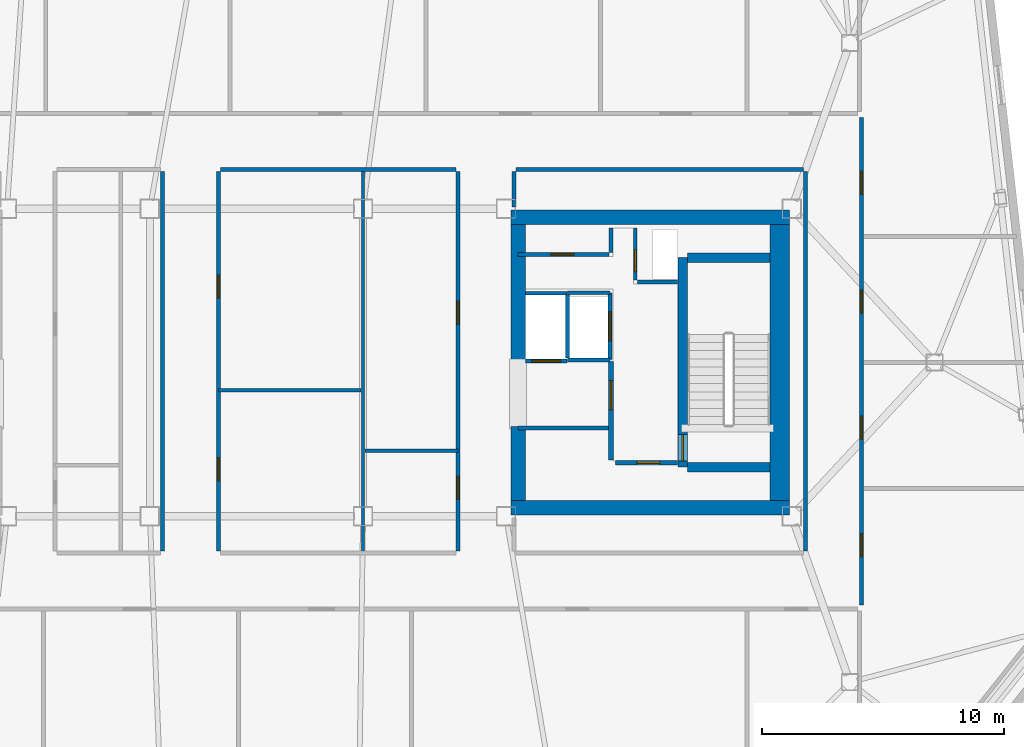
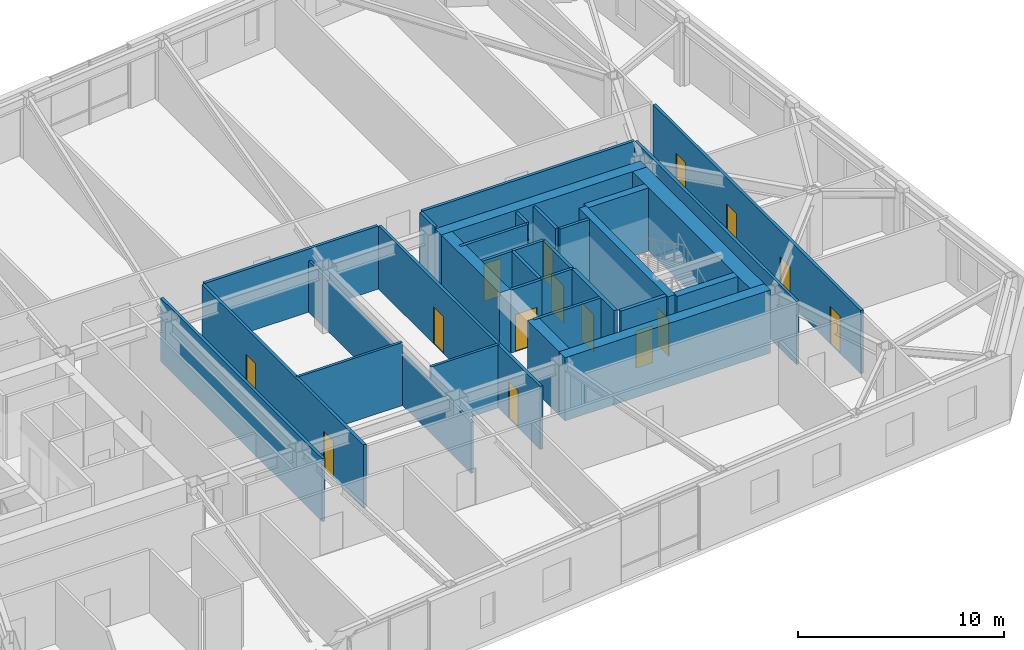
# One storey, part 14 of 20: 32 walls, 15 doors, 15 openings.
"""IFC4 building model written with IfcOpenShell, lengths in metres."""

from ifc_helpers import new_model, si_unit, direction, frame, frame_2d, origin, place, context, subcontext, project, spatial, rectangle, extrude, material, layer, layer_set, type_object, element, fill, save


model = new_model("IFC4")

# Units and contexts
model_context = context("Model", 3, precision=1e-05, world=origin(), true_north=direction((0.0, 1.0)))
body_context = subcontext(model_context, "Body", "Model", "MODEL_VIEW")
ifc_project = project(units=[si_unit("LENGTHUNIT", "METRE"), si_unit("AREAUNIT", "SQUARE_METRE"), si_unit("VOLUMEUNIT", "CUBIC_METRE"), si_unit("PLANEANGLEUNIT", "RADIAN"), si_unit("MASSUNIT", "GRAM", prefix="KILO")], contexts=[model_context])

# Site, building, storey
site_placement = place(None, origin())
site = spatial("IfcSite", under=ifc_project, at=site_placement, CompositionType="ELEMENT")
building_placement = place(site_placement, origin())
building = spatial("IfcBuilding", under=site, at=building_placement, Name="Tavrogorsk Clinical Tower", CompositionType="ELEMENT")
storey_placement = place(building_placement, frame((0.0, 0.0, 251.0)))
storey = spatial("IfcBuildingStorey", under=building, at=storey_placement, Name="L58", CompositionType="ELEMENT", Elevation=251.0)

# Wall, opening, door
ifc_material_1 = material(Name="Concrete B60", Category="concrete")
ifc_layer_1 = layer(ifc_material_1, 0.199951171875)
ifc_layer_set_1 = layer_set([ifc_layer_1], Name="Concrete B60")
wall_type_1 = type_object("IfcWallType", Name="CoreFireWall_200", PredefinedType="SOLIDWALL", material=ifc_layer_set_1)
wall_1_placement = place(storey_placement, frame((14.824951171875, -4.139892578125, 0.0), z_axis=(0.0, 0.0, 1.0), x_axis=(1.0, 0.0, 0.0)))
wall_1 = element("IfcWall", 1, at=wall_1_placement, inside=storey, type_object=wall_type_1, Name="L58 Core East South Core Room Fire Wall", PredefinedType="SOLIDWALL", context=body_context, shape_type="SweptSolid", body=[
    extrude(rectangle(XDim=2.554931640625, YDim=0.199951171875, at=frame_2d((1.27734375, 0.0))), origin(), (0.0, 0.0, 1.0), 3.739990234375),
])
opening_1_placement = place(wall_1_placement, frame((0.8798828125, 0.0, 0.0)))
opening_1 = element("IfcOpeningElement", 2, at=opening_1_placement, cuts=wall_1, Name="Opening ID-02", PredefinedType="OPENING", context=body_context, shape_type="SweptSolid", body=[
    extrude(rectangle(XDim=0.949951171875, YDim=2.199951171875, at=frame_2d((0.47509765625, 1.10009765625))), frame((0.0, 0.10986328125, 0.0), z_axis=(0.0, -1.0, 0.0), x_axis=(1.0, 0.0, 0.0)), (0.0, 0.0, 1.0), 0.219970703125),
])
ifc_material_2 = material(Name="Laminated timber leaf on aluminium frame", Category="wood")
door_type_1 = type_object("IfcDoorType", Name="InteriorDoor_ID02_950", OperationType="NOTDEFINED", PredefinedType="DOOR", material=ifc_material_2)
door_1_placement = place(opening_1_placement, origin())
door_1 = element("IfcDoor", 3, at=door_1_placement, inside=storey, type_object=door_type_1, Name="L58 Core East South Core Room Door", OperationType="SINGLE_SWING_RIGHT", OverallHeight=2.199951171875, OverallWidth=0.949951171875, PredefinedType="DOOR", context=body_context, shape_type="SweptSolid", body=[
    extrude(rectangle(XDim=0.949951171875, YDim=2.199951171875, at=frame_2d((0.47509765625, 1.10009765625))), frame((0.0, 0.02490234375, 0.0), z_axis=(0.0, -1.0, 0.0), x_axis=(1.0, 0.0, 0.0)), (0.0, 0.0, 1.0), 0.050048828125),
])
fill(opening_1, door_1)

wall_2_placement = place(storey_placement, frame((14.639892578125, -4.034912109375, 0.0), z_axis=(0.0, 0.0, 1.0), x_axis=(0.0, 1.0, 0.0)))
wall_2 = element("IfcWall", 4, at=wall_2_placement, inside=storey, type_object=wall_type_1, Name="L58 Core East Firefighting Lobby Fire Wall", PredefinedType="SOLIDWALL", context=body_context, shape_type="SweptSolid", body=[
    extrude(rectangle(XDim=4.074951171875, YDim=0.199951171875, at=frame_2d((2.03759765625, 0.0))), origin(), (0.0, 0.0, 1.0), 3.739990234375),
])
opening_2_placement = place(wall_2_placement, frame((2.090087890625, 0.0, 0.0)))
opening_2 = element("IfcOpeningElement", 5, at=opening_2_placement, cuts=wall_2, Name="Opening FD-01", PredefinedType="OPENING", context=body_context, shape_type="SweptSolid", body=[
    extrude(rectangle(XDim=1.199951171875, YDim=2.199951171875, at=frame_2d((0.60009765625, 1.10009765625))), frame((0.0, 0.10986328125, 0.0), z_axis=(0.0, -1.0, 0.0), x_axis=(1.0, 0.0, 0.0)), (0.0, 0.0, 1.0), 0.219970703125),
])
ifc_material_3 = material(Name="Galvanised steel fire-rated door assembly", Category="steel")
door_type_2 = type_object("IfcDoorType", Name="FireDoor_FD01_1200", OperationType="NOTDEFINED", PredefinedType="DOOR", material=ifc_material_3)
door_2_placement = place(opening_2_placement, origin())
door_2 = element("IfcDoor", 6, at=door_2_placement, inside=storey, type_object=door_type_2, Name="L58 Core East Firefighting Lobby Entry Door", OperationType="SINGLE_SWING_RIGHT", OverallHeight=2.199951171875, OverallWidth=1.199951171875, PredefinedType="DOOR", context=body_context, shape_type="SweptSolid", body=[
    extrude(rectangle(XDim=1.199951171875, YDim=2.199951171875, at=frame_2d((0.60009765625, 1.10009765625))), frame((0.0, 0.02490234375, 0.0), z_axis=(0.0, -1.0, 0.0), x_axis=(1.0, 0.0, 0.0)), (0.0, 0.0, 1.0), 0.050048828125),
])
fill(opening_2, door_2)

# Walls
ifc_material_4 = material(Name="Lightweight concrete blockwork B15", Category="masonry")
ifc_layer_2 = layer(ifc_material_4, 0.139892578125)
ifc_layer_set_2 = layer_set([ifc_layer_2], Name="Lightweight concrete blockwork B15")
wall_type_2 = type_object("IfcWallType", Name="PartitionWall_140", PredefinedType="PARTITIONING", material=ifc_layer_set_2)
wall_3_placement = place(storey_placement, frame((4.39990234375, -7.864990234375, 0.0), z_axis=(0.0, 0.0, 1.0), x_axis=(0.0, 1.0, 0.0)))
element("IfcWall", 7, at=wall_3_placement, inside=storey, type_object=wall_type_2, Name="L58 Central Spine Partition 2", PredefinedType="PARTITIONING", context=body_context, shape_type="SweptSolid", body=[
    extrude(rectangle(XDim=15.830078125, YDim=0.139892578125, at=frame_2d((7.9150390625, 0.0))), origin(), (0.0, 0.0, 1.0), 3.034912109375),
])
wall_4_placement = place(storey_placement, frame((-1.56494140625, -1.14990234375, 0.0), z_axis=(0.0, 0.0, 1.0), x_axis=(1.0, 0.0, 0.0)))
element("IfcWall", 8, at=wall_4_placement, inside=storey, type_object=wall_type_2, Name="L58 Central Spine Partition 3", PredefinedType="PARTITIONING", context=body_context, shape_type="SweptSolid", body=[
    extrude(rectangle(XDim=5.889892578125, YDim=0.139892578125, at=frame_2d((2.94482421875, 0.0))), origin(), (0.0, 0.0, 1.0), 3.739990234375),
])
wall_5_placement = place(storey_placement, frame((4.47509765625, -3.64990234375, 0.0), z_axis=(0.0, 0.0, 1.0), x_axis=(1.0, 0.0, 0.0)))
element("IfcWall", 9, at=wall_5_placement, inside=storey, type_object=wall_type_2, Name="L58 Central Spine Partition 5", PredefinedType="PARTITIONING", context=body_context, shape_type="SweptSolid", body=[
    extrude(rectangle(XDim=3.83984375, YDim=0.139892578125, at=frame_2d((1.919921875, 0.0))), origin(), (0.0, 0.0, 1.0), 3.739990234375),
])
ifc_material_5 = material(Name="Lightweight concrete blockwork B15", Category="masonry")
ifc_layer_3 = layer(ifc_material_5, 0.159912109375)
ifc_layer_set_3 = layer_set([ifc_layer_3], Name="Lightweight concrete blockwork B15")
wall_type_3 = type_object("IfcWallType", Name="PartitionWall_160", PredefinedType="PARTITIONING", material=ifc_layer_set_3)
wall_6_placement = place(storey_placement, frame((10.800048828125, -2.699951171875, 0.0), z_axis=(0.0, 0.0, 1.0), x_axis=(1.0, 0.0, 0.0)))
element("IfcWall", 10, at=wall_6_placement, inside=storey, type_object=wall_type_3, Name="L58 Core East Freed Mid-Bank North Partition", PredefinedType="PARTITIONING", context=body_context, shape_type="SweptSolid", body=[
    extrude(rectangle(XDim=3.73486328125, YDim=0.159912109375, at=frame_2d((1.867431640625, 0.0))), origin(), (0.0, 0.0, 1.0), 3.739990234375),
])

# Wall, opening, door
wall_7_placement = place(storey_placement, frame((10.800048828125, 4.4599609375, 0.0), z_axis=(0.0, 0.0, 1.0), x_axis=(1.0, 0.0, 0.0)))
wall_7 = element("IfcWall", 11, at=wall_7_placement, inside=storey, type_object=wall_type_3, Name="L58 Core East Pneumatic Dispatch South Wall", PredefinedType="PARTITIONING", context=body_context, shape_type="SweptSolid", body=[
    extrude(rectangle(XDim=3.7548828125, YDim=0.159912109375, at=frame_2d((1.87744140625, 0.0))), origin(), (0.0, 0.0, 1.0), 3.739990234375),
])
opening_3_placement = place(wall_7_placement, frame((1.35009765625, 0.0, 0.0)))
opening_3 = element("IfcOpeningElement", 12, at=opening_3_placement, cuts=wall_7, Name="Opening ID-02", PredefinedType="OPENING", context=body_context, shape_type="SweptSolid", body=[
    extrude(rectangle(XDim=0.949951171875, YDim=2.199951171875, at=frame_2d((0.47509765625, 1.10009765625))), frame((0.0, 0.08984375, 0.0), z_axis=(0.0, -1.0, 0.0), x_axis=(1.0, 0.0, 0.0)), (0.0, 0.0, 1.0), 0.179931640625),
])
door_3_placement = place(opening_3_placement, origin())
door_3 = element("IfcDoor", 13, at=door_3_placement, inside=storey, type_object=door_type_1, Name="L58 Core East Pneumatic Dispatch Door", OperationType="SINGLE_SWING_LEFT", OverallHeight=2.199951171875, OverallWidth=0.949951171875, PredefinedType="DOOR", context=body_context, shape_type="SweptSolid", body=[
    extrude(rectangle(XDim=0.949951171875, YDim=2.199951171875, at=frame_2d((0.47509765625, 1.10009765625))), frame((0.0, 0.02490234375, 0.0), z_axis=(0.0, -1.0, 0.0), x_axis=(1.0, 0.0, 0.0)), (0.0, 0.0, 1.0), 0.050048828125),
])
fill(opening_3, door_3)

# Wall
wall_8_placement = place(storey_placement, frame((14.639892578125, 4.544921875, 0.0), z_axis=(0.0, 0.0, 1.0), x_axis=(0.0, 1.0, 0.0)))
element("IfcWall", 14, at=wall_8_placement, inside=storey, type_object=wall_type_3, Name="L58 Core East Pneumatic Dispatch East Wall", PredefinedType="PARTITIONING", context=body_context, shape_type="SweptSolid", body=[
    extrude(rectangle(XDim=1.01513671875, YDim=0.159912109375, at=frame_2d((0.507568359375, 0.0))), origin(), (0.0, 0.0, 1.0), 3.739990234375),
])

# Wall, openings, doors
wall_9_placement = place(storey_placement, frame((24.97998046875, 10.114990234375, 0.0), z_axis=(0.0, 0.0, 1.0), x_axis=(0.0, -1.0, 0.0)))
wall_9 = element("IfcWall", 15, at=wall_9_placement, inside=storey, type_object=wall_type_3, Name="L58 Corridor Partition 03", PredefinedType="PARTITIONING", context=body_context, shape_type="SweptSolid", body=[
    extrude(rectangle(XDim=20.1298828125, YDim=0.159912109375, at=frame_2d((10.06494140625, 0.0))), origin(), (0.0, 0.0, 1.0), 3.739990234375),
])
opening_4_placement = place(wall_9_placement, frame((17.180908203125, 0.0, 0.0)))
opening_4 = element("IfcOpeningElement", 16, at=opening_4_placement, cuts=wall_9, Name="Opening ID-02", PredefinedType="OPENING", context=body_context, shape_type="SweptSolid", body=[
    extrude(rectangle(XDim=0.949951171875, YDim=2.199951171875, at=frame_2d((0.47509765625, 1.10009765625))), frame((0.0, 0.08984375, 0.0), z_axis=(0.0, -1.0, 0.0), x_axis=(1.0, 0.0, 0.0)), (0.0, 0.0, 1.0), 0.179931640625),
])
opening_5_placement = place(wall_9_placement, frame((12.324951171875, 0.0, 0.0)))
opening_5 = element("IfcOpeningElement", 17, at=opening_5_placement, cuts=wall_9, Name="Opening ID-02", PredefinedType="OPENING", context=body_context, shape_type="SweptSolid", body=[
    extrude(rectangle(XDim=0.949951171875, YDim=2.199951171875, at=frame_2d((0.47509765625, 1.10009765625))), frame((0.0, 0.08984375, 0.0), z_axis=(0.0, -1.0, 0.0), x_axis=(1.0, 0.0, 0.0)), (0.0, 0.0, 1.0), 0.179931640625),
])
opening_6_placement = place(wall_9_placement, frame((7.125, 0.0, 0.0)))
opening_6 = element("IfcOpeningElement", 18, at=opening_6_placement, cuts=wall_9, Name="Opening ID-02", PredefinedType="OPENING", context=body_context, shape_type="SweptSolid", body=[
    extrude(rectangle(XDim=0.949951171875, YDim=2.199951171875, at=frame_2d((0.47509765625, 1.10009765625))), frame((0.0, 0.08984375, 0.0), z_axis=(0.0, -1.0, 0.0), x_axis=(1.0, 0.0, 0.0)), (0.0, 0.0, 1.0), 0.179931640625),
])
opening_7_placement = place(wall_9_placement, frame((2.218994140625, 0.0, 0.0)))
opening_7 = element("IfcOpeningElement", 19, at=opening_7_placement, cuts=wall_9, Name="Opening ID-02", PredefinedType="OPENING", context=body_context, shape_type="SweptSolid", body=[
    extrude(rectangle(XDim=0.949951171875, YDim=2.199951171875, at=frame_2d((0.47509765625, 1.10009765625))), frame((0.0, 0.08984375, 0.0), z_axis=(0.0, -1.0, 0.0), x_axis=(1.0, 0.0, 0.0)), (0.0, 0.0, 1.0), 0.179931640625),
])
door_4_placement = place(opening_4_placement, origin())
door_4 = element("IfcDoor", 20, at=door_4_placement, inside=storey, type_object=door_type_1, Name="L58 E Senior Clinician Suite 1 Door", OperationType="SINGLE_SWING_LEFT", OverallHeight=2.199951171875, OverallWidth=0.949951171875, PredefinedType="DOOR", context=body_context, shape_type="SweptSolid", body=[
    extrude(rectangle(XDim=0.949951171875, YDim=2.199951171875, at=frame_2d((0.47509765625, 1.10009765625))), frame((0.0, 0.02490234375, 0.0), z_axis=(0.0, -1.0, 0.0), x_axis=(1.0, 0.0, 0.0)), (0.0, 0.0, 1.0), 0.050048828125),
])
fill(opening_4, door_4)
door_5_placement = place(opening_5_placement, origin())
door_5 = element("IfcDoor", 21, at=door_5_placement, inside=storey, type_object=door_type_1, Name="L58 E Multidisciplinary Seminar Suite 2 Door", OperationType="SINGLE_SWING_RIGHT", OverallHeight=2.199951171875, OverallWidth=0.949951171875, PredefinedType="DOOR", context=body_context, shape_type="SweptSolid", body=[
    extrude(rectangle(XDim=0.949951171875, YDim=2.199951171875, at=frame_2d((0.47509765625, 1.10009765625))), frame((0.0, 0.02490234375, 0.0), z_axis=(0.0, -1.0, 0.0), x_axis=(1.0, 0.0, 0.0)), (0.0, 0.0, 1.0), 0.050048828125),
])
fill(opening_5, door_5)
door_6_placement = place(opening_6_placement, origin())
door_6 = element("IfcDoor", 22, at=door_6_placement, inside=storey, type_object=door_type_1, Name="L58 E Specialist Consultation Room 3 Door", OperationType="SINGLE_SWING_LEFT", OverallHeight=2.199951171875, OverallWidth=0.949951171875, PredefinedType="DOOR", context=body_context, shape_type="SweptSolid", body=[
    extrude(rectangle(XDim=0.949951171875, YDim=2.199951171875, at=frame_2d((0.47509765625, 1.10009765625))), frame((0.0, 0.02490234375, 0.0), z_axis=(0.0, -1.0, 0.0), x_axis=(1.0, 0.0, 0.0)), (0.0, 0.0, 1.0), 0.050048828125),
])
fill(opening_6, door_6)
door_7_placement = place(opening_7_placement, origin())
door_7 = element("IfcDoor", 23, at=door_7_placement, inside=storey, type_object=door_type_1, Name="L58 E Clinical Fellows' Study 4 Door", OperationType="SINGLE_SWING_RIGHT", OverallHeight=2.199951171875, OverallWidth=0.949951171875, PredefinedType="DOOR", context=body_context, shape_type="SweptSolid", body=[
    extrude(rectangle(XDim=0.949951171875, YDim=2.199951171875, at=frame_2d((0.47509765625, 1.10009765625))), frame((0.0, 0.02490234375, 0.0), z_axis=(0.0, -1.0, 0.0), x_axis=(1.0, 0.0, 0.0)), (0.0, 0.0, 1.0), 0.050048828125),
])
fill(opening_7, door_7)

# Walls
wall_10_placement = place(storey_placement, frame((22.5849609375, 7.969970703125, 0.0), z_axis=(0.0, 0.0, 1.0), x_axis=(-1.0, 0.0, 0.0)))
element("IfcWall", 24, at=wall_10_placement, inside=storey, type_object=wall_type_3, Name="L58 Corridor Partition 09", PredefinedType="PARTITIONING", context=body_context, shape_type="SweptSolid", body=[
    extrude(rectangle(XDim=11.869873046875, YDim=0.159912109375, at=frame_2d((5.93505859375, 0.0))), origin(), (0.0, 0.0, 1.0), 3.739990234375),
])
wall_11_placement = place(storey_placement, frame((10.6298828125, 7.885009765625, 0.0), z_axis=(0.0, 0.0, 1.0), x_axis=(0.0, -1.0, 0.0)))
element("IfcWall", 25, at=wall_11_placement, inside=storey, type_object=wall_type_3, Name="L58 Corridor Partition 10", PredefinedType="PARTITIONING", context=body_context, shape_type="SweptSolid", body=[
    extrude(rectangle(XDim=1.465087890625, YDim=0.159912109375, at=frame_2d((0.732421875, 0.0))), origin(), (0.0, 0.0, 1.0), 3.739990234375),
])
wall_12_placement = place(storey_placement, frame((22.669921875, -7.784912109375, 0.0), z_axis=(0.0, 0.0, 1.0), x_axis=(0.0, 1.0, 0.0)))
element("IfcWall", 26, at=wall_12_placement, inside=storey, type_object=wall_type_3, Name="L58 Corridor Partition 13", PredefinedType="PARTITIONING", context=body_context, shape_type="SweptSolid", body=[
    extrude(rectangle(XDim=15.669921875, YDim=0.159912109375, at=frame_2d((7.8349609375, 0.0))), origin(), (0.0, 0.0, 1.0), 3.739990234375),
])
wall_13_placement = place(storey_placement, frame((8.235107421875, 7.969970703125, 0.0), z_axis=(0.0, 0.0, 1.0), x_axis=(-1.0, 0.0, 0.0)))
element("IfcWall", 27, at=wall_13_placement, inside=storey, type_object=wall_type_3, Name="L58 Corridor Partition 14", PredefinedType="PARTITIONING", context=body_context, shape_type="SweptSolid", body=[
    extrude(rectangle(XDim=9.72021484375, YDim=0.159912109375, at=frame_2d((4.860107421875, 0.0))), origin(), (0.0, 0.0, 1.0), 3.739990234375),
])

# Wall, openings, doors
wall_14_placement = place(storey_placement, frame((-1.570068359375, 7.885009765625, 0.0), z_axis=(0.0, 0.0, 1.0), x_axis=(0.0, -1.0, 0.0)))
wall_14 = element("IfcWall", 28, at=wall_14_placement, inside=storey, type_object=wall_type_3, Name="L58 Corridor Partition 15", PredefinedType="PARTITIONING", context=body_context, shape_type="SweptSolid", body=[
    extrude(rectangle(XDim=15.669921875, YDim=0.159912109375, at=frame_2d((7.8349609375, 0.0))), origin(), (0.0, 0.0, 1.0), 3.739990234375),
])
opening_8_placement = place(wall_14_placement, frame((11.810791015625, 0.0, 0.0)))
opening_8 = element("IfcOpeningElement", 29, at=opening_8_placement, cuts=wall_14, Name="Opening ID-02", PredefinedType="OPENING", context=body_context, shape_type="SweptSolid", body=[
    extrude(rectangle(XDim=0.949951171875, YDim=2.199951171875, at=frame_2d((0.47509765625, 1.10009765625))), frame((0.0, 0.08984375, 0.0), z_axis=(0.0, -1.0, 0.0), x_axis=(1.0, 0.0, 0.0)), (0.0, 0.0, 1.0), 0.179931640625),
])
opening_9_placement = place(wall_14_placement, frame((4.279052734375, 0.0, 0.0)))
opening_9 = element("IfcOpeningElement", 30, at=opening_9_placement, cuts=wall_14, Name="Opening ID-02", PredefinedType="OPENING", context=body_context, shape_type="SweptSolid", body=[
    extrude(rectangle(XDim=0.949951171875, YDim=2.199951171875, at=frame_2d((0.47509765625, 1.10009765625))), frame((0.0, 0.08984375, 0.0), z_axis=(0.0, -1.0, 0.0), x_axis=(1.0, 0.0, 0.0)), (0.0, 0.0, 1.0), 0.179931640625),
])
door_8_placement = place(opening_8_placement, origin())
door_8 = element("IfcDoor", 31, at=door_8_placement, inside=storey, type_object=door_type_1, Name="L58 Multidisciplinary Conference Room Door", OperationType="SINGLE_SWING_LEFT", OverallHeight=2.199951171875, OverallWidth=0.949951171875, PredefinedType="DOOR", context=body_context, shape_type="SweptSolid", body=[
    extrude(rectangle(XDim=0.949951171875, YDim=2.199951171875, at=frame_2d((0.47509765625, 1.10009765625))), frame((0.0, 0.02490234375, 0.0), z_axis=(0.0, -1.0, 0.0), x_axis=(1.0, 0.0, 0.0)), (0.0, 0.0, 1.0), 0.050048828125),
])
fill(opening_8, door_8)
door_9_placement = place(opening_9_placement, origin())
door_9 = element("IfcDoor", 32, at=door_9_placement, inside=storey, type_object=door_type_1, Name="L58 Nurses' Station & Triage Hub Door", OperationType="SINGLE_SWING_RIGHT", OverallHeight=2.199951171875, OverallWidth=0.949951171875, PredefinedType="DOOR", context=body_context, shape_type="SweptSolid", body=[
    extrude(rectangle(XDim=0.949951171875, YDim=2.199951171875, at=frame_2d((0.47509765625, 1.10009765625))), frame((0.0, 0.02490234375, 0.0), z_axis=(0.0, -1.0, 0.0), x_axis=(1.0, 0.0, 0.0)), (0.0, 0.0, 1.0), 0.050048828125),
])
fill(opening_9, door_9)

wall_15_placement = place(storey_placement, frame((8.320068359375, -7.784912109375, 0.0), z_axis=(0.0, 0.0, 1.0), x_axis=(0.0, 1.0, 0.0)))
wall_15 = element("IfcWall", 33, at=wall_15_placement, inside=storey, type_object=wall_type_3, Name="L58 Corridor Partition 17", PredefinedType="PARTITIONING", context=body_context, shape_type="SweptSolid", body=[
    extrude(rectangle(XDim=15.669921875, YDim=0.159912109375, at=frame_2d((7.8349609375, 0.0))), origin(), (0.0, 0.0, 1.0), 3.739990234375),
])
opening_10_placement = place(wall_15_placement, frame((2.129150390625, 0.0, 0.0)))
opening_10 = element("IfcOpeningElement", 34, at=opening_10_placement, cuts=wall_15, Name="Opening ID-02", PredefinedType="OPENING", context=body_context, shape_type="SweptSolid", body=[
    extrude(rectangle(XDim=0.949951171875, YDim=2.199951171875, at=frame_2d((0.47509765625, 1.10009765625))), frame((0.0, 0.08984375, 0.0), z_axis=(0.0, -1.0, 0.0), x_axis=(1.0, 0.0, 0.0)), (0.0, 0.0, 1.0), 0.179931640625),
])
opening_11_placement = place(wall_15_placement, frame((9.36083984375, 0.0, 0.0)))
opening_11 = element("IfcOpeningElement", 35, at=opening_11_placement, cuts=wall_15, Name="Opening ID-02", PredefinedType="OPENING", context=body_context, shape_type="SweptSolid", body=[
    extrude(rectangle(XDim=0.949951171875, YDim=2.199951171875, at=frame_2d((0.47509765625, 1.10009765625))), frame((0.0, 0.08984375, 0.0), z_axis=(0.0, -1.0, 0.0), x_axis=(1.0, 0.0, 0.0)), (0.0, 0.0, 1.0), 0.179931640625),
])
door_10_placement = place(opening_10_placement, origin())
door_10 = element("IfcDoor", 36, at=door_10_placement, inside=storey, type_object=door_type_1, Name="L58 Staff & Visitor Accessible WC Door", OperationType="SINGLE_SWING_LEFT", OverallHeight=2.199951171875, OverallWidth=0.949951171875, PredefinedType="DOOR", context=body_context, shape_type="SweptSolid", body=[
    extrude(rectangle(XDim=0.949951171875, YDim=2.199951171875, at=frame_2d((0.47509765625, 1.10009765625))), frame((0.0, 0.02490234375, 0.0), z_axis=(0.0, -1.0, 0.0), x_axis=(1.0, 0.0, 0.0)), (0.0, 0.0, 1.0), 0.050048828125),
])
fill(opening_10, door_10)
door_11_placement = place(opening_11_placement, origin())
door_11 = element("IfcDoor", 37, at=door_11_placement, inside=storey, type_object=door_type_1, Name="L58 Attending Physician Office Door", OperationType="SINGLE_SWING_RIGHT", OverallHeight=2.199951171875, OverallWidth=0.949951171875, PredefinedType="DOOR", context=body_context, shape_type="SweptSolid", body=[
    extrude(rectangle(XDim=0.949951171875, YDim=2.199951171875, at=frame_2d((0.47509765625, 1.10009765625))), frame((0.0, 0.02490234375, 0.0), z_axis=(0.0, -1.0, 0.0), x_axis=(1.0, 0.0, 0.0)), (0.0, 0.0, 1.0), 0.050048828125),
])
fill(opening_11, door_11)

# Wall
wall_16_placement = place(storey_placement, frame((-3.8798828125, -7.784912109375, 0.0), z_axis=(0.0, 0.0, 1.0), x_axis=(0.0, 1.0, 0.0)))
element("IfcWall", 38, at=wall_16_placement, inside=storey, type_object=wall_type_3, Name="L58 Corridor Partition 18", PredefinedType="PARTITIONING", context=body_context, shape_type="SweptSolid", body=[
    extrude(rectangle(XDim=15.669921875, YDim=0.159912109375, at=frame_2d((7.8349609375, 0.0))), origin(), (0.0, 0.0, 1.0), 3.739990234375),
])

# Wall, opening, door
ifc_material_6 = material(Name="Lightweight concrete blockwork B25", Category="masonry")
ifc_layer_4 = layer(ifc_material_6, 0.159912109375)
ifc_layer_set_4 = layer_set([ifc_layer_4], Name="Lightweight concrete blockwork B25")
wall_type_4 = type_object("IfcWallType", Name="ShaftWall_160", PredefinedType="PARTITIONING", material=ifc_layer_set_4)
wall_17_placement = place(storey_placement, frame((14.60009765625, 0.1201171875, 0.0), z_axis=(0.0, 0.0, 1.0), x_axis=(0.0, 1.0, 0.0)))
wall_17 = element("IfcWall", 39, at=wall_17_placement, inside=storey, type_object=wall_type_4, Name="L58 FFL-E Firefighting Lift Front Wall", PredefinedType="PARTITIONING", context=body_context, shape_type="SweptSolid", body=[
    extrude(rectangle(XDim=2.739990234375, YDim=0.159912109375, at=frame_2d((1.3701171875, 0.0))), origin(), (0.0, 0.0, 1.0), 3.739990234375),
])
opening_12_placement = place(wall_17_placement, frame((0.77001953125, 0.0, 0.0)))
opening_12 = element("IfcOpeningElement", 40, at=opening_12_placement, cuts=wall_17, Name="Opening LD", PredefinedType="OPENING", context=body_context, shape_type="SweptSolid", body=[
    extrude(rectangle(XDim=1.199951171875, YDim=2.199951171875, at=frame_2d((0.60009765625, 1.10009765625))), frame((0.0, 0.08984375, 0.0), z_axis=(0.0, -1.0, 0.0), x_axis=(1.0, 0.0, 0.0)), (0.0, 0.0, 1.0), 0.179931640625),
])
ifc_material_7 = material(Name="Brushed stainless steel AISI 304 sliding doors", Category="steel")
door_type_3 = type_object("IfcDoorType", Name="LiftLandingDoor_LD_1200", OperationType="SLIDING_TO_LEFT", PredefinedType="DOOR", material=ifc_material_7)
door_12_placement = place(opening_12_placement, origin())
door_12 = element("IfcDoor", 41, at=door_12_placement, inside=storey, type_object=door_type_3, Name="L58 FFL-E Sliding Lift Landing Door", OperationType="SLIDING_TO_LEFT", OverallHeight=2.199951171875, OverallWidth=1.199951171875, PredefinedType="DOOR", context=body_context, shape_type="SweptSolid", body=[
    extrude(rectangle(XDim=1.199951171875, YDim=2.199951171875, at=frame_2d((0.60009765625, 1.10009765625))), frame((0.0, 0.02490234375, 0.0), z_axis=(0.0, -1.0, 0.0), x_axis=(1.0, 0.0, 0.0)), (0.0, 0.0, 1.0), 0.050048828125),
])
fill(opening_12, door_12)

# Walls
for number, where, z_axis, x_axis, name in (
    (42, (12.840087890625, 0.10009765625, 0.0), (0.0, 0.0, 1.0), (1.0, 0.0, 0.0), "L58 FFL-E Shaft South Wall"),
    (43, (12.840087890625, 2.8798828125, 0.0), (0.0, 0.0, 1.0), (1.0, 0.0, 0.0), "L58 FFL-E Shaft North Wall"),
):
    element("IfcWall", number, at=place(storey_placement, frame(where, z_axis=z_axis, x_axis=x_axis)), inside=storey, type_object=wall_type_4, Name=name, PredefinedType="PARTITIONING", context=body_context, shape_type="SweptSolid", body=[
        extrude(rectangle(XDim=1.760009765625, YDim=0.159912109375, at=frame_2d((0.8798828125, 0.0))), origin(), (0.0, 0.0, 1.0), 3.739990234375),
    ])
wall_18_placement = place(storey_placement, frame((12.840087890625, 0.179931640625, 0.0), z_axis=(0.0, 0.0, 1.0), x_axis=(0.0, 1.0, 0.0)))
element("IfcWall", 44, at=wall_18_placement, inside=storey, type_object=wall_type_4, Name="L58 FFL-E Shaft Back Wall", PredefinedType="PARTITIONING", context=body_context, shape_type="SweptSolid", body=[
    extrude(rectangle(XDim=2.6201171875, YDim=0.159912109375, at=frame_2d((1.31005859375, 0.0))), origin(), (0.0, 0.0, 1.0), 3.739990234375),
])

# Wall, opening, door
wall_19_placement = place(storey_placement, frame((11.10009765625, 0.06005859375, 0.0), z_axis=(0.0, 0.0, 1.0), x_axis=(1.0, 0.0, 0.0)))
wall_19 = element("IfcWall", 45, at=wall_19_placement, inside=storey, type_object=wall_type_4, Name="L58 LP-H2 High-Zone Lift Portal Wall", PredefinedType="PARTITIONING", context=body_context, shape_type="SweptSolid", body=[
    extrude(rectangle(XDim=1.719970703125, YDim=0.159912109375, at=frame_2d((0.85986328125, 0.0))), origin(), (0.0, 0.0, 1.0), 3.739990234375),
])
opening_13_placement = place(wall_19_placement, frame((0.260009765625, 0.0, 0.0)))
opening_13 = element("IfcOpeningElement", 46, at=opening_13_placement, cuts=wall_19, Name="Opening LD", PredefinedType="OPENING", context=body_context, shape_type="SweptSolid", body=[
    extrude(rectangle(XDim=1.199951171875, YDim=2.199951171875, at=frame_2d((0.60009765625, 1.10009765625))), frame((0.0, 0.08984375, 0.0), z_axis=(0.0, -1.0, 0.0), x_axis=(1.0, 0.0, 0.0)), (0.0, 0.0, 1.0), 0.179931640625),
])
door_13_placement = place(opening_13_placement, origin())
door_13 = element("IfcDoor", 47, at=door_13_placement, inside=storey, type_object=door_type_3, Name="L58 LP-H2 Sliding Lift Landing Door", OperationType="SLIDING_TO_LEFT", OverallHeight=2.199951171875, OverallWidth=1.199951171875, PredefinedType="DOOR", context=body_context, shape_type="SweptSolid", body=[
    extrude(rectangle(XDim=1.199951171875, YDim=2.199951171875, at=frame_2d((0.60009765625, 1.10009765625))), frame((0.0, 0.02490234375, 0.0), z_axis=(0.0, -1.0, 0.0), x_axis=(1.0, 0.0, 0.0)), (0.0, 0.0, 1.0), 0.050048828125),
])
fill(opening_13, door_13)

# Wall
wall_20_placement = place(storey_placement, frame((11.10009765625, 2.860107421875, 0.0), z_axis=(0.0, 0.0, 1.0), x_axis=(1.0, 0.0, 0.0)))
element("IfcWall", 48, at=wall_20_placement, inside=storey, type_object=wall_type_4, Name="L58 LP-H2 High-Zone Lift Rear Wall", PredefinedType="PARTITIONING", context=body_context, shape_type="SweptSolid", body=[
    extrude(rectangle(XDim=1.719970703125, YDim=0.159912109375, at=frame_2d((0.85986328125, 0.0))), origin(), (0.0, 0.0, 1.0), 3.739990234375),
])

# Wall, opening, door
wall_21_placement = place(storey_placement, frame((15.639892578125, 3.405029296875, 0.0), z_axis=(0.0, 0.0, 1.0), x_axis=(0.0, 1.0, 0.0)))
wall_21 = element("IfcWall", 49, at=wall_21_placement, inside=storey, type_object=wall_type_4, Name="L58 Core East Riser West Wall", PredefinedType="PARTITIONING", context=body_context, shape_type="SweptSolid", body=[
    extrude(rectangle(XDim=2.155029296875, YDim=0.159912109375, at=frame_2d((1.07763671875, 0.0))), origin(), (0.0, 0.0, 1.0), 3.739990234375),
])
opening_14_placement = place(wall_21_placement, frame((0.35009765625, 0.0, 0.0)))
opening_14 = element("IfcOpeningElement", 50, at=opening_14_placement, cuts=wall_21, Name="Opening FD-02", PredefinedType="OPENING", context=body_context, shape_type="SweptSolid", body=[
    extrude(rectangle(XDim=0.89990234375, YDim=2.199951171875, at=frame_2d((0.449951171875, 1.10009765625))), frame((0.0, 0.08984375, 0.0), z_axis=(0.0, -1.0, 0.0), x_axis=(1.0, 0.0, 0.0)), (0.0, 0.0, 1.0), 0.179931640625),
])
ifc_material_8 = material(Name="Galvanised steel fire-rated door assembly", Category="steel")
door_type_4 = type_object("IfcDoorType", Name="FireDoor_FD02_900", OperationType="NOTDEFINED", PredefinedType="DOOR", material=ifc_material_8)
door_14_placement = place(opening_14_placement, origin())
door_14 = element("IfcDoor", 51, at=door_14_placement, inside=storey, type_object=door_type_4, Name="L58 Core East Electrical Riser Access Door", OperationType="SINGLE_SWING_LEFT", OverallHeight=2.199951171875, OverallWidth=0.89990234375, PredefinedType="DOOR", context=body_context, shape_type="SweptSolid", body=[
    extrude(rectangle(XDim=0.89990234375, YDim=2.199951171875, at=frame_2d((0.449951171875, 1.10009765625))), frame((0.0, 0.02490234375, 0.0), z_axis=(0.0, -1.0, 0.0), x_axis=(1.0, 0.0, 0.0)), (0.0, 0.0, 1.0), 0.050048828125),
])
fill(opening_14, door_14)

# Wall
wall_22_placement = place(storey_placement, frame((15.72509765625, 3.320068359375, 0.0), z_axis=(0.0, 0.0, 1.0), x_axis=(1.0, 0.0, 0.0)))
element("IfcWall", 52, at=wall_22_placement, inside=storey, type_object=wall_type_4, Name="L58 Core East Riser South Wall", PredefinedType="PARTITIONING", context=body_context, shape_type="SweptSolid", body=[
    extrude(rectangle(XDim=1.65478515625, YDim=0.159912109375, at=frame_2d((0.827392578125, 0.0))), origin(), (0.0, 0.0, 1.0), 3.739990234375),
])

# Wall, opening, door
ifc_material_9 = material(Name="Concrete B80", Category="concrete")
ifc_layer_5 = layer(ifc_material_9, 0.39990234375)
ifc_layer_set_5 = layer_set([ifc_layer_5], Name="Concrete B80")
wall_type_5 = type_object("IfcWallType", Name="ShearWall_400", PredefinedType="SHEAR", material=ifc_layer_set_5)
wall_23_placement = place(storey_placement, frame((17.60009765625, -4.324951171875, 0.0), z_axis=(0.0, 0.0, 1.0), x_axis=(0.0, 1.0, 0.0)))
wall_23 = element("IfcWall", 53, at=wall_23_placement, inside=storey, type_object=wall_type_5, Name="L58 Core East Stair Shaft Inner Shear Wall", PredefinedType="SHEAR", context=body_context, shape_type="SweptSolid", body=[
    extrude(rectangle(XDim=8.64990234375, YDim=0.39990234375, at=frame_2d((4.324951171875, 0.0))), origin(), (0.0, 0.0, 1.0), 3.739990234375),
])
opening_15_placement = place(wall_23_placement, frame((0.25, 0.0, 0.0)))
opening_15 = element("IfcOpeningElement", 54, at=opening_15_placement, cuts=wall_23, Name="Opening SD-01", PredefinedType="OPENING", context=body_context, shape_type="SweptSolid", body=[
    extrude(rectangle(XDim=1.10009765625, YDim=2.199951171875, at=frame_2d((0.550048828125, 1.10009765625))), frame((0.0, 0.2099609375, 0.0), z_axis=(0.0, -1.0, 0.0), x_axis=(1.0, 0.0, 0.0)), (0.0, 0.0, 1.0), 0.419921875),
])
ifc_material_10 = material(Name="Galvanised steel smoke-tight fire door assembly", Category="steel")
door_type_5 = type_object("IfcDoorType", Name="StairFireDoor_SD01_1100", OperationType="NOTDEFINED", PredefinedType="DOOR", material=ifc_material_10)
door_15_placement = place(opening_15_placement, origin())
door_15 = element("IfcDoor", 55, at=door_15_placement, inside=storey, type_object=door_type_5, Name="L58 ST-E Exit Stair Door", OperationType="SINGLE_SWING_RIGHT", OverallHeight=2.199951171875, OverallWidth=1.10009765625, PredefinedType="DOOR", context=body_context, shape_type="SweptSolid", body=[
    extrude(rectangle(XDim=1.10009765625, YDim=2.199951171875, at=frame_2d((0.550048828125, 1.10009765625))), frame((0.0, 0.02490234375, 0.0), z_axis=(0.0, -1.0, 0.0), x_axis=(1.0, 0.0, 0.0)), (0.0, 0.0, 1.0), 0.050048828125),
])
fill(opening_15, door_15)

# Walls
for number, where, z_axis, x_axis, name in (
    (56, (17.800048828125, -4.324951171875, 0.0), (0.0, 0.0, 1.0), (1.0, 0.0, 0.0), "L58 Core East Stair Shaft South Shear Wall"),
    (57, (17.800048828125, 4.324951171875, 0.0), (0.0, 0.0, 1.0), (1.0, 0.0, 0.0), "L58 Core East Stair Shaft North Shear Wall"),
):
    element("IfcWall", number, at=place(storey_placement, frame(where, z_axis=z_axis, x_axis=x_axis)), inside=storey, type_object=wall_type_5, Name=name, PredefinedType="SHEAR", context=body_context, shape_type="SweptSolid", body=[
        extrude(rectangle(XDim=3.39990234375, YDim=0.39990234375, at=frame_2d((1.699951171875, 0.0))), origin(), (0.0, 0.0, 1.0), 3.739990234375),
    ])
ifc_material_11 = material(Name="Concrete B80", Category="concrete")
ifc_layer_6 = layer(ifc_material_11, 0.60009765625)
ifc_layer_set_6 = layer_set([ifc_layer_6], Name="Concrete B80")
wall_type_6 = type_object("IfcWallType", Name="ShearWall_600", PredefinedType="SHEAR", material=ifc_layer_set_6)
for number, where, z_axis, x_axis, name in (
    (58, (10.5, 6.0, 0.0), (0.0, 0.0, 1.0), (1.0, 0.0, 0.0), "L58 Core East North Shear Wall"),
    (59, (10.5, -6.0, 0.0), (0.0, 0.0, 1.0), (1.0, 0.0, 0.0), "L58 Core East South Shear Wall"),
):
    element("IfcWall", number, at=place(storey_placement, frame(where, z_axis=z_axis, x_axis=x_axis)), inside=storey, type_object=wall_type_6, Name=name, PredefinedType="SHEAR", context=body_context, shape_type="SweptSolid", body=[
        extrude(rectangle(XDim=11.5, YDim=0.60009765625, at=frame_2d((5.75, 0.0))), origin(), (0.0, 0.0, 1.0), 3.739990234375),
    ])
wall_24_placement = place(storey_placement, frame((10.800048828125, -5.699951171875, 0.0), z_axis=(0.0, 0.0, 1.0), x_axis=(0.0, 1.0, 0.0)))
element("IfcWall", 60, at=wall_24_placement, inside=storey, type_object=wall_type_6, Name="L58 Core East Inner South Pier", PredefinedType="SHEAR", context=body_context, shape_type="SweptSolid", body=[
    extrude(rectangle(XDim=3.050048828125, YDim=0.60009765625, at=frame_2d((1.52490234375, 0.0))), origin(), (0.0, 0.0, 1.0), 3.739990234375),
])
wall_25_placement = place(storey_placement, frame((10.800048828125, 0.050048828125, 0.0), z_axis=(0.0, 0.0, 1.0), x_axis=(0.0, 1.0, 0.0)))
element("IfcWall", 61, at=wall_25_placement, inside=storey, type_object=wall_type_6, Name="L58 Core East Inner North Pier", PredefinedType="SHEAR", context=body_context, shape_type="SweptSolid", body=[
    extrude(rectangle(XDim=5.64990234375, YDim=0.60009765625, at=frame_2d((2.824951171875, 0.0))), origin(), (0.0, 0.0, 1.0), 3.739990234375),
])
ifc_material_12 = material(Name="Concrete B80", Category="concrete")
ifc_layer_7 = layer(ifc_material_12, 0.800048828125)
ifc_layer_set_7 = layer_set([ifc_layer_7], Name="Concrete B80")
wall_type_7 = type_object("IfcWallType", Name="ShearWall_800", PredefinedType="SHEAR", material=ifc_layer_set_7)
wall_26_placement = place(storey_placement, frame((21.60009765625, -5.699951171875, 0.0), z_axis=(0.0, 0.0, 1.0), x_axis=(0.0, 1.0, 0.0)))
element("IfcWall", 62, at=wall_26_placement, inside=storey, type_object=wall_type_7, Name="L58 Core East End Shear Wall", PredefinedType="SHEAR", context=body_context, shape_type="SweptSolid", body=[
    extrude(rectangle(XDim=11.39990234375, YDim=0.800048828125, at=frame_2d((5.699951171875, 0.0))), origin(), (0.0, 0.0, 1.0), 3.739990234375),
])

save(model, "model.ifc")
